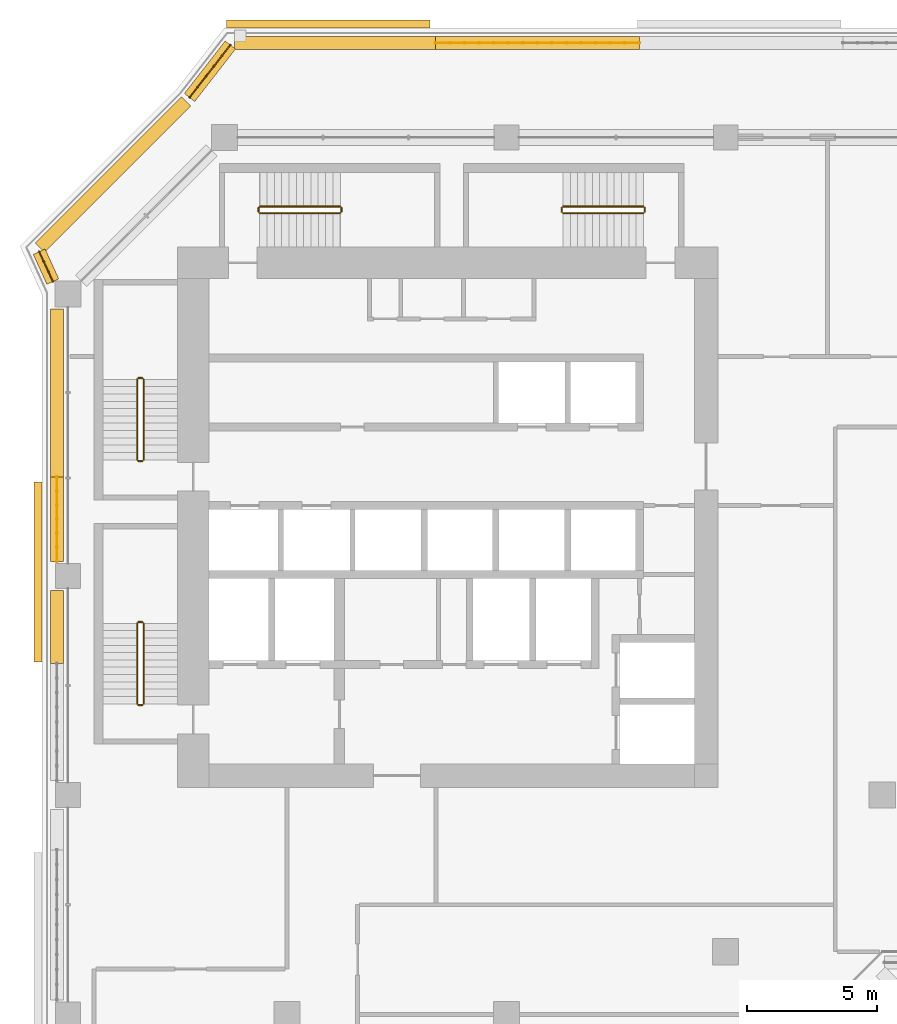
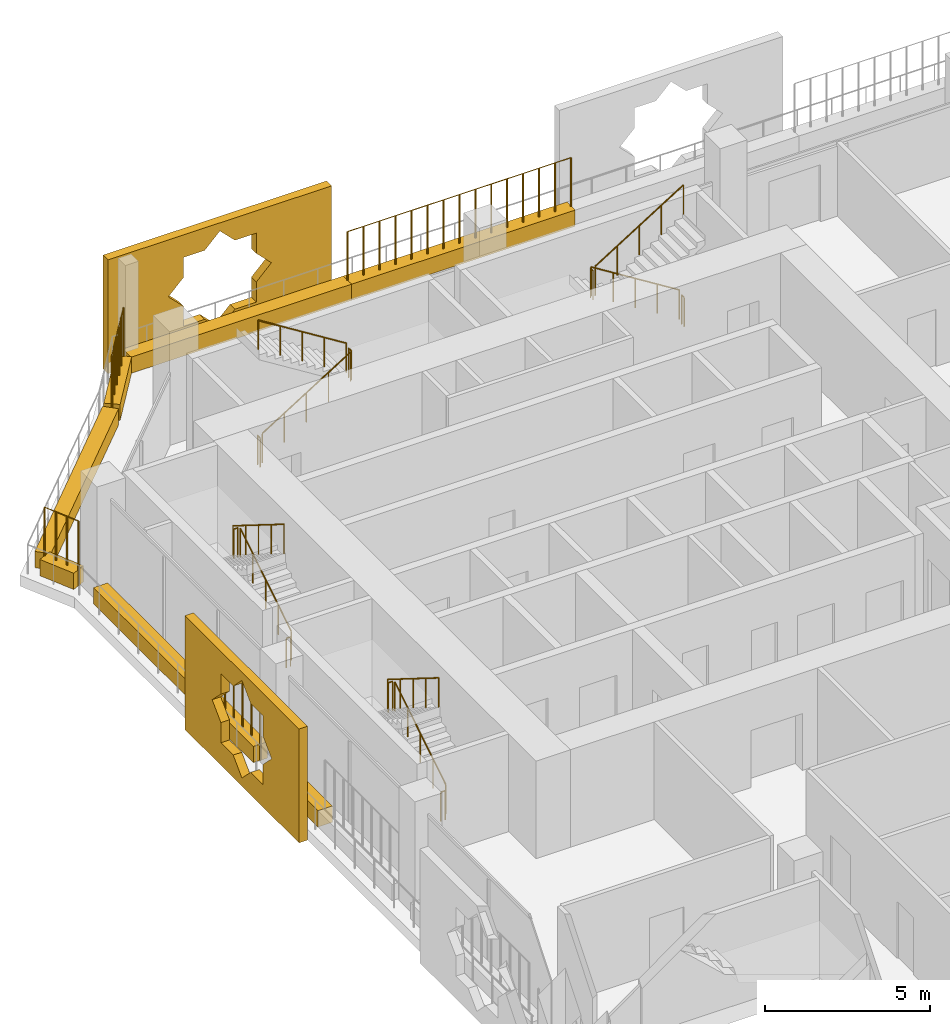
# One storey, part 18 of 22: 20 railings, 10 coverings.
"""IFC4 building model written with IfcOpenShell, lengths in metres."""

from ifc_helpers import new_model, si_unit, direction, frame, origin, origin_2d, place, context, subcontext, project, spatial, polyline, rectangle, circle, outline, extrude, material, material_profile, profile_set, type_object, element, save


model = new_model("IFC4")

# Units and contexts
model_context = context("Model", 3, precision=1e-05, world=origin(), true_north=direction((0.0, 1.0)))
body_context = subcontext(model_context, "Body", "Model", "MODEL_VIEW")
ifc_project = project(units=[si_unit("LENGTHUNIT", "METRE"), si_unit("AREAUNIT", "SQUARE_METRE"), si_unit("VOLUMEUNIT", "CUBIC_METRE"), si_unit("PLANEANGLEUNIT", "RADIAN"), si_unit("MASSUNIT", "GRAM", prefix="KILO")], contexts=[model_context])

# Site, building, storey
site_placement = place(None, origin())
site = spatial("IfcSite", under=ifc_project, at=site_placement, CompositionType="ELEMENT")
building_placement = place(site_placement, origin())
building = spatial("IfcBuilding", under=site, at=building_placement, Name="Kawkab Arch Medical Tower", CompositionType="ELEMENT")
storey_placement = place(building_placement, frame((0.0, 0.0, 179.39990234375)))
storey = spatial("IfcBuildingStorey", under=building, at=storey_placement, Name="L41", CompositionType="ELEMENT", Elevation=179.39990234375)

# Coverings
ifc_material_1 = material(Name="Bronze anodised aluminium mashrabiya panel, eight-point star pattern", Category="aluminium")
ifc_material_profile_1 = material_profile(ifc_material_1, outline(polyline([(-3.449951171875, -2.10009765625), (3.449951171875, -2.10009765625), (3.449951171875, 2.10009765625), (-3.449951171875, 2.10009765625), (-3.449951171875, -2.10009765625)]), holes=[polyline([(1.800048828125, 0.0), (1.272705078125, 0.527099609375), (1.272705078125, 1.272705078125), (0.527099609375, 1.272705078125), (0.0, 1.800048828125), (-0.527099609375, 1.272705078125), (-1.272705078125, 1.272705078125), (-1.272705078125, 0.527099609375), (-1.800048828125, 0.0), (-1.272705078125, -0.527099609375), (-1.272705078125, -1.272705078125), (-0.527099609375, -1.272705078125), (0.0, -1.800048828125), (0.527099609375, -1.272705078125), (1.272705078125, -1.272705078125), (1.272705078125, -0.527099609375), (1.800048828125, 0.0)])]), Name="Mashrabiya panel 6900x4200")
ifc_profile_set_1 = profile_set([ifc_material_profile_1], Name="Bronze anodised aluminium mashrabiya panel, eight-point star pattern")
covering_type_1 = type_object("IfcCoveringType", Name="Mashrabiya panel 6900 x 4200", PredefinedType="USERDEFINED", material=ifc_profile_set_1)
covering_1_placement = place(storey_placement, frame((-1.0, -16.64892578125, 1.7001953125), z_axis=(-1.0, 0.0, 0.0), x_axis=(0.0, -1.0, 0.0)))
element("IfcCovering", 1, at=covering_1_placement, inside=storey, type_object=covering_type_1, Name="Mashrabiya panel L41.LOG-01-01.4", ObjectType="SCREEN", PredefinedType="USERDEFINED", context=body_context, shape_type="SweptSolid", body=[
    extrude(outline(polyline([(-3.449951171875, -2.10009765625), (3.449951171875, -2.10009765625), (3.449951171875, 2.10009765625), (-3.449951171875, 2.10009765625), (-3.449951171875, -2.10009765625)]), holes=[polyline([(1.800048828125, 0.0), (1.272705078125, 0.527099609375), (1.272705078125, 1.272705078125), (0.527099609375, 1.272705078125), (0.0, 1.800048828125), (-0.527099609375, 1.272705078125), (-1.272705078125, 1.272705078125), (-1.272705078125, 0.527099609375), (-1.800048828125, 0.0), (-1.272705078125, -0.527099609375), (-1.272705078125, -1.272705078125), (-0.527099609375, -1.272705078125), (0.0, -1.800048828125), (0.527099609375, -1.272705078125), (1.272705078125, -1.272705078125), (1.272705078125, -0.527099609375), (1.800048828125, 0.0)])]), origin(), (0.0, 0.0, 1.0), 0.300048828125),
])
ifc_material_2 = material(Name="Bronze anodised aluminium mashrabiya panel, eight-point star pattern", Category="aluminium")
ifc_material_profile_2 = material_profile(ifc_material_2, outline(polyline([(-3.89990234375, -2.10009765625), (3.89990234375, -2.10009765625), (3.89990234375, 2.10009765625), (-3.89990234375, 2.10009765625), (-3.89990234375, -2.10009765625)]), holes=[polyline([(1.800048828125, 0.0), (1.272705078125, 0.527099609375), (1.272705078125, 1.272705078125), (0.527099609375, 1.272705078125), (0.0, 1.800048828125), (-0.527099609375, 1.272705078125), (-1.272705078125, 1.272705078125), (-1.272705078125, 0.527099609375), (-1.800048828125, 0.0), (-1.272705078125, -0.527099609375), (-1.272705078125, -1.272705078125), (-0.527099609375, -1.272705078125), (0.0, -1.800048828125), (0.527099609375, -1.272705078125), (1.272705078125, -1.272705078125), (1.272705078125, -0.527099609375), (1.800048828125, 0.0)])]), Name="Mashrabiya panel 7800x4200")
ifc_profile_set_2 = profile_set([ifc_material_profile_2], Name="Bronze anodised aluminium mashrabiya panel, eight-point star pattern")
covering_type_2 = type_object("IfcCoveringType", Name="Mashrabiya panel 7800 x 4200", PredefinedType="USERDEFINED", material=ifc_profile_set_2)
covering_2_placement = place(storey_placement, frame((9.967041015625, 4.199951171875, 1.7001953125), z_axis=(0.0, 1.0, 0.0), x_axis=(-1.0, 0.0, 0.0)))
element("IfcCovering", 2, at=covering_2_placement, inside=storey, type_object=covering_type_2, Name="Mashrabiya panel L41.LOG-01-01.5", ObjectType="SCREEN", PredefinedType="USERDEFINED", context=body_context, shape_type="SweptSolid", body=[
    extrude(outline(polyline([(-3.89990234375, -2.10009765625), (3.89990234375, -2.10009765625), (3.89990234375, 2.10009765625), (-3.89990234375, 2.10009765625), (-3.89990234375, -2.10009765625)]), holes=[polyline([(1.800048828125, 0.0), (1.272705078125, 0.527099609375), (1.272705078125, 1.272705078125), (0.527099609375, 1.272705078125), (0.0, 1.800048828125), (-0.527099609375, 1.272705078125), (-1.272705078125, 1.272705078125), (-1.272705078125, 0.527099609375), (-1.800048828125, 0.0), (-1.272705078125, -0.527099609375), (-1.272705078125, -1.272705078125), (-0.527099609375, -1.272705078125), (0.0, -1.800048828125), (0.527099609375, -1.272705078125), (1.272705078125, -1.272705078125), (1.272705078125, -0.527099609375), (1.800048828125, 0.0)])]), origin(), (0.0, 0.0, 1.0), 0.300048828125),
])
ifc_material_3 = material(Name="Planting soil in a precast trough", Category="concrete")
ifc_material_profile_3 = material_profile(ifc_material_3, rectangle(XDim=0.5, YDim=0.60009765625, at=origin_2d()), Name="Trough 500x600")
ifc_profile_set_3 = profile_set([ifc_material_profile_3], Name="Planting soil in a precast trough")
covering_type_3 = type_object("IfcCoveringType", Name="Planter trough 500 x 600", PredefinedType="USERDEFINED", material=ifc_profile_set_3)
covering_3_placement = place(storey_placement, frame((-0.419921875, -20.157958984375, 0.300048828125), z_axis=(0.0, 1.0, 0.0), x_axis=(-1.0, 0.0, 0.0)))
element("IfcCovering", 3, at=covering_3_placement, inside=storey, type_object=covering_type_3, Name="Planter L41.LOG-01-01.12", ObjectType="PLANTER", PredefinedType="USERDEFINED", context=body_context, shape_type="SweptSolid", body=[
    extrude(rectangle(XDim=0.5, YDim=0.60009765625, at=origin_2d()), origin(), (0.0, 0.0, 1.0), 2.802978515625),
])
covering_4_placement = place(storey_placement, frame((-0.419921875, -16.2451171875, 0.300048828125), z_axis=(0.0, 1.0, 0.0), x_axis=(-1.0, 0.0, 0.0)))
element("IfcCovering", 4, at=covering_4_placement, inside=storey, type_object=covering_type_3, Name="Planter L41.LOG-01-01.13", ObjectType="PLANTER", PredefinedType="USERDEFINED", context=body_context, shape_type="SweptSolid", body=[
    extrude(rectangle(XDim=0.5, YDim=0.60009765625, at=origin_2d()), origin(), (0.0, 0.0, 1.0), 3.22900390625),
])
covering_5_placement = place(storey_placement, frame((-0.419921875, -13.01611328125, 0.300048828125), z_axis=(0.0, 1.0, 0.0), x_axis=(-1.0, 0.0, 0.0)))
element("IfcCovering", 5, at=covering_5_placement, inside=storey, type_object=covering_type_3, Name="Planter L41.LOG-01-01.14", ObjectType="PLANTER", PredefinedType="USERDEFINED", context=body_context, shape_type="SweptSolid", body=[
    extrude(rectangle(XDim=0.5, YDim=0.60009765625, at=origin_2d()), origin(), (0.0, 0.0, 1.0), 6.43603515625),
])
covering_6_placement = place(storey_placement, frame((-0.580078125, -5.52294921875, 0.300048828125), z_axis=(-0.415089762627, 0.909780461959, 0.0), x_axis=(-0.909780461959, -0.415089762627, 0.0)))
element("IfcCovering", 6, at=covering_6_placement, inside=storey, type_object=covering_type_3, Name="Planter L41.LOG-01-01.15", ObjectType="PLANTER", PredefinedType="USERDEFINED", context=body_context, shape_type="SweptSolid", body=[
    extrude(rectangle(XDim=0.5, YDim=0.60009765625, at=origin_2d()), origin(), (0.0, 0.0, 1.0), 1.257568359375),
])
covering_7_placement = place(storey_placement, frame((-1.072998046875, -4.217041015625, 0.300048828125), z_axis=(0.707106781187, 0.707106781187, 0.0), x_axis=(-0.707106781187, 0.707106781187, 0.0)))
element("IfcCovering", 7, at=covering_7_placement, inside=storey, type_object=covering_type_3, Name="Planter L41.LOG-01-01.16", ObjectType="PLANTER", PredefinedType="USERDEFINED", context=body_context, shape_type="SweptSolid", body=[
    extrude(rectangle(XDim=0.5, YDim=0.60009765625, at=origin_2d()), origin(), (0.0, 0.0, 1.0), 7.919677734375),
])
covering_8_placement = place(storey_placement, frame((4.658935546875, 1.531982421875, 0.300048828125), z_axis=(0.61404021143, 0.789274742246, 0.0), x_axis=(-0.789274742246, 0.61404021143, 0.0)))
element("IfcCovering", 8, at=covering_8_placement, inside=storey, type_object=covering_type_3, Name="Planter L41.LOG-01-01.17", ObjectType="PLANTER", PredefinedType="USERDEFINED", context=body_context, shape_type="SweptSolid", body=[
    extrude(rectangle(XDim=0.5, YDim=0.60009765625, at=origin_2d()), origin(), (0.0, 0.0, 1.0), 2.54541015625),
])
covering_9_placement = place(storey_placement, frame((6.384033203125, 3.6201171875, 0.300048828125), z_axis=(1.0, 0.0, 0.0), x_axis=(0.0, 1.0, 0.0)))
element("IfcCovering", 9, at=covering_9_placement, inside=storey, type_object=covering_type_3, Name="Planter L41.LOG-01-01.18", ObjectType="PLANTER", PredefinedType="USERDEFINED", context=body_context, shape_type="SweptSolid", body=[
    extrude(rectangle(XDim=0.5, YDim=0.60009765625, at=origin_2d()), origin(), (0.0, 0.0, 1.0), 7.703857421875),
])
covering_10_placement = place(storey_placement, frame((14.087890625, 3.6201171875, 0.300048828125), z_axis=(1.0, 0.0, 0.0), x_axis=(0.0, 1.0, 0.0)))
element("IfcCovering", 10, at=covering_10_placement, inside=storey, type_object=covering_type_3, Name="Planter L41.LOG-01-01.19", ObjectType="PLANTER", PredefinedType="USERDEFINED", context=body_context, shape_type="SweptSolid", body=[
    extrude(rectangle(XDim=0.5, YDim=0.60009765625, at=origin_2d()), origin(), (0.0, 0.0, 1.0), 7.80517578125),
])

# Railings
ifc_material_4 = material(Name="Bronze anodised aluminium trellis for climbing plants", Category="aluminium")
railing_type_1 = type_object("IfcRailingType", Name="Planting trellis 2400", PredefinedType="USERDEFINED", material=ifc_material_4)
railing_1_placement = place(storey_placement, frame((-0.419921875, -16.2451171875, 0.0)))
element("IfcRailing", 11, at=railing_1_placement, inside=storey, type_object=railing_type_1, Name="Planting trellis L41.LOG-01-01.13", ObjectType="TRELLIS", PredefinedType="USERDEFINED", context=body_context, shape_type="SweptSolid", body=[
    extrude(circle(Radius=0.01513671875, at=origin_2d()), frame((0.0, 0.0, 2.384765625), z_axis=(0.0, 1.0, 0.0), x_axis=(-1.0, 0.0, 0.0)), (0.0, 0.0, 1.0), 3.22900390625),
    extrude(circle(Radius=0.030029296875, at=origin_2d()), origin(), (0.0, 0.0, 1.0), 2.369873046875),
    extrude(circle(Radius=0.030029296875, at=origin_2d()), frame((0.0, 0.5380859375, 0.0)), (0.0, 0.0, 1.0), 2.369873046875),
    extrude(circle(Radius=0.030029296875, at=origin_2d()), frame((0.0, 1.076416015625, 0.0)), (0.0, 0.0, 1.0), 2.369873046875),
    extrude(circle(Radius=0.030029296875, at=origin_2d()), frame((0.0, 1.614501953125, 0.0)), (0.0, 0.0, 1.0), 2.369873046875),
    extrude(circle(Radius=0.030029296875, at=origin_2d()), frame((0.0, 2.152587890625, 0.0)), (0.0, 0.0, 1.0), 2.369873046875),
    extrude(circle(Radius=0.030029296875, at=origin_2d()), frame((0.0, 2.69091796875, 0.0)), (0.0, 0.0, 1.0), 2.369873046875),
    extrude(circle(Radius=0.030029296875, at=origin_2d()), frame((0.0, 3.22900390625, 0.0)), (0.0, 0.0, 1.0), 2.369873046875),
])
railing_2_placement = place(storey_placement, frame((-0.580078125, -5.52294921875, 0.0)))
element("IfcRailing", 12, at=railing_2_placement, inside=storey, type_object=railing_type_1, Name="Planting trellis L41.LOG-01-01.15", ObjectType="TRELLIS", PredefinedType="USERDEFINED", context=body_context, shape_type="SweptSolid", body=[
    extrude(circle(Radius=0.01513671875, at=origin_2d()), frame((0.0, 0.0, 2.384765625), z_axis=(-0.415089762627, 0.909780461959, 0.0), x_axis=(-0.909780461959, -0.415089762627, 0.0)), (0.0, 0.0, 1.0), 1.257568359375),
    extrude(circle(Radius=0.030029296875, at=origin_2d()), origin(), (0.0, 0.0, 1.0), 2.369873046875),
    extrude(circle(Radius=0.030029296875, at=origin_2d()), frame((-0.174072265625, 0.38134765625, 0.0)), (0.0, 0.0, 1.0), 2.369873046875),
    extrude(circle(Radius=0.030029296875, at=origin_2d()), frame((-0.347900390625, 0.7626953125, 0.0)), (0.0, 0.0, 1.0), 2.369873046875),
    extrude(circle(Radius=0.030029296875, at=origin_2d()), frame((-0.52197265625, 1.14404296875, 0.0)), (0.0, 0.0, 1.0), 2.369873046875),
])
railing_3_placement = place(storey_placement, frame((4.658935546875, 1.531982421875, 0.0)))
element("IfcRailing", 13, at=railing_3_placement, inside=storey, type_object=railing_type_1, Name="Planting trellis L41.LOG-01-01.17", ObjectType="TRELLIS", PredefinedType="USERDEFINED", context=body_context, shape_type="SweptSolid", body=[
    extrude(circle(Radius=0.01513671875, at=origin_2d()), frame((0.0, 0.0, 2.384765625), z_axis=(0.61404021143, 0.789274742246, 0.0), x_axis=(-0.789274742246, 0.61404021143, 0.0)), (0.0, 0.0, 1.0), 2.54541015625),
    extrude(circle(Radius=0.030029296875, at=origin_2d()), origin(), (0.0, 0.0, 1.0), 2.369873046875),
    extrude(circle(Radius=0.030029296875, at=origin_2d()), frame((0.3125, 0.40185546875, 0.0)), (0.0, 0.0, 1.0), 2.369873046875),
    extrude(circle(Radius=0.030029296875, at=origin_2d()), frame((0.625244140625, 0.8037109375, 0.0)), (0.0, 0.0, 1.0), 2.369873046875),
    extrude(circle(Radius=0.030029296875, at=origin_2d()), frame((0.937744140625, 1.205322265625, 0.0)), (0.0, 0.0, 1.0), 2.369873046875),
    extrude(circle(Radius=0.030029296875, at=origin_2d()), frame((1.25048828125, 1.607177734375, 0.0)), (0.0, 0.0, 1.0), 2.369873046875),
    extrude(circle(Radius=0.030029296875, at=origin_2d()), frame((1.56298828125, 2.009033203125, 0.0)), (0.0, 0.0, 1.0), 2.369873046875),
])
railing_4_placement = place(storey_placement, frame((14.087890625, 3.6201171875, 0.0)))
element("IfcRailing", 14, at=railing_4_placement, inside=storey, type_object=railing_type_1, Name="Planting trellis L41.LOG-01-01.19", ObjectType="TRELLIS", PredefinedType="USERDEFINED", context=body_context, shape_type="SweptSolid", body=[
    extrude(circle(Radius=0.01513671875, at=origin_2d()), frame((0.0, 0.0, 2.384765625), z_axis=(1.0, 0.0, 0.0), x_axis=(0.0, 1.0, 0.0)), (0.0, 0.0, 1.0), 7.80517578125),
    extrude(circle(Radius=0.030029296875, at=origin_2d()), origin(), (0.0, 0.0, 1.0), 2.369873046875),
    extrude(circle(Radius=0.030029296875, at=origin_2d()), frame((0.5576171875, 0.0, 0.0)), (0.0, 0.0, 1.0), 2.369873046875),
    extrude(circle(Radius=0.030029296875, at=origin_2d()), frame((1.114990234375, 0.0, 0.0)), (0.0, 0.0, 1.0), 2.369873046875),
    extrude(circle(Radius=0.030029296875, at=origin_2d()), frame((1.672607421875, 0.0, 0.0)), (0.0, 0.0, 1.0), 2.369873046875),
    extrude(circle(Radius=0.030029296875, at=origin_2d()), frame((2.22998046875, 0.0, 0.0)), (0.0, 0.0, 1.0), 2.369873046875),
    extrude(circle(Radius=0.030029296875, at=origin_2d()), frame((2.78759765625, 0.0, 0.0)), (0.0, 0.0, 1.0), 2.369873046875),
    extrude(circle(Radius=0.030029296875, at=origin_2d()), frame((3.344970703125, 0.0, 0.0)), (0.0, 0.0, 1.0), 2.369873046875),
    extrude(circle(Radius=0.030029296875, at=origin_2d()), frame((3.902587890625, 0.0, 0.0)), (0.0, 0.0, 1.0), 2.369873046875),
    extrude(circle(Radius=0.030029296875, at=origin_2d()), frame((4.460205078125, 0.0, 0.0)), (0.0, 0.0, 1.0), 2.369873046875),
    extrude(circle(Radius=0.030029296875, at=origin_2d()), frame((5.017578125, 0.0, 0.0)), (0.0, 0.0, 1.0), 2.369873046875),
    extrude(circle(Radius=0.030029296875, at=origin_2d()), frame((5.5751953125, 0.0, 0.0)), (0.0, 0.0, 1.0), 2.369873046875),
    extrude(circle(Radius=0.030029296875, at=origin_2d()), frame((6.132568359375, 0.0, 0.0)), (0.0, 0.0, 1.0), 2.369873046875),
    extrude(circle(Radius=0.030029296875, at=origin_2d()), frame((6.690185546875, 0.0, 0.0)), (0.0, 0.0, 1.0), 2.369873046875),
    extrude(circle(Radius=0.030029296875, at=origin_2d()), frame((7.24755859375, 0.0, 0.0)), (0.0, 0.0, 1.0), 2.369873046875),
    extrude(circle(Radius=0.030029296875, at=origin_2d()), frame((7.80517578125, 0.0, 0.0)), (0.0, 0.0, 1.0), 2.369873046875),
])
ifc_material_5 = material(Name="Stainless steel", Category="steel")
railing_type_2 = type_object("IfcRailingType", Name="Stair guard 1100", PredefinedType="GUARDRAIL", material=ifc_material_5)
railing_5_placement = place(storey_placement, frame((2.89990234375, -12.35009765625, 0.175048828125)))
element("IfcRailing", 15, at=railing_5_placement, inside=storey, type_object=railing_type_2, Name="L41 ST1 stair guard 1", PredefinedType="GUARDRAIL", context=body_context, shape_type="SweptSolid", body=[
    extrude(circle(Radius=0.02392578125, at=origin_2d()), frame((0.0, 0.0, 1.076171875), z_axis=(0.0, 0.847998304005, 0.529998940003), x_axis=(-1.0, 0.0, 0.0)), (0.0, 0.0, 1.0), 3.632080078125),
    extrude(circle(Radius=0.02099609375, at=origin_2d()), origin(), (0.0, 0.0, 1.0), 1.052001953125),
    extrude(circle(Radius=0.02099609375, at=origin_2d()), frame((0.0, 0.77001953125, 0.481201171875)), (0.0, 0.0, 1.0), 1.052001953125),
    extrude(circle(Radius=0.02099609375, at=origin_2d()), frame((0.0, 1.5400390625, 0.96240234375)), (0.0, 0.0, 1.0), 1.052001953125),
    extrude(circle(Radius=0.02099609375, at=origin_2d()), frame((0.0, 2.31005859375, 1.44384765625)), (0.0, 0.0, 1.0), 1.052001953125),
    extrude(circle(Radius=0.02099609375, at=origin_2d()), frame((0.0, 3.080078125, 1.925048828125)), (0.0, 0.0, 1.0), 1.052001953125),
])
railing_6_placement = place(storey_placement, frame((2.85009765625, -9.219970703125, 2.10009765625)))
element("IfcRailing", 16, at=railing_6_placement, inside=storey, type_object=railing_type_2, Name="L41 ST1 stair guard 2", PredefinedType="GUARDRAIL", context=body_context, shape_type="SweptSolid", body=[
    extrude(circle(Radius=0.02392578125, at=origin_2d()), frame((0.0, 0.0, 1.076171875), z_axis=(-1.0, 0.0, 0.0), x_axis=(0.0, -1.0, 0.0)), (0.0, 0.0, 1.0), 0.150146484375),
    extrude(circle(Radius=0.02099609375, at=origin_2d()), origin(), (0.0, 0.0, 1.0), 1.052001953125),
    extrude(circle(Radius=0.02099609375, at=origin_2d()), frame((-0.150146484375, 0.0, 0.0)), (0.0, 0.0, 1.0), 1.052001953125),
])
railing_7_placement = place(storey_placement, frame((2.64990234375, -9.27001953125, 2.275146484375)))
element("IfcRailing", 17, at=railing_7_placement, inside=storey, type_object=railing_type_2, Name="L41 ST1 stair guard 3", PredefinedType="GUARDRAIL", context=body_context, shape_type="SweptSolid", body=[
    extrude(circle(Radius=0.02392578125, at=origin_2d()), frame((0.0, 0.0, 1.076171875), z_axis=(0.0, -0.847998304005, 0.529998940003), x_axis=(1.0, 0.0, 0.0)), (0.0, 0.0, 1.0), 3.632080078125),
    extrude(circle(Radius=0.02099609375, at=origin_2d()), origin(), (0.0, 0.0, 1.0), 1.052001953125),
    extrude(circle(Radius=0.02099609375, at=origin_2d()), frame((0.0, -0.77001953125, 0.481201171875)), (0.0, 0.0, 1.0), 1.052001953125),
    extrude(circle(Radius=0.02099609375, at=origin_2d()), frame((0.0, -1.5400390625, 0.96240234375)), (0.0, 0.0, 1.0), 1.052001953125),
    extrude(circle(Radius=0.02099609375, at=origin_2d()), frame((0.0, -2.31005859375, 1.44384765625)), (0.0, 0.0, 1.0), 1.052001953125),
    extrude(circle(Radius=0.02099609375, at=origin_2d()), frame((0.0, -3.080078125, 1.925048828125)), (0.0, 0.0, 1.0), 1.052001953125),
])
railing_8_placement = place(storey_placement, frame((2.85009765625, -12.39990234375, 0.0)))
element("IfcRailing", 18, at=railing_8_placement, inside=storey, type_object=railing_type_2, Name="L41 ST1 stair guard 4", PredefinedType="GUARDRAIL", context=body_context, shape_type="SweptSolid", body=[
    extrude(circle(Radius=0.02392578125, at=origin_2d()), frame((0.0, 0.0, 1.076171875), z_axis=(-1.0, 0.0, 0.0), x_axis=(0.0, -1.0, 0.0)), (0.0, 0.0, 1.0), 0.150146484375),
    extrude(circle(Radius=0.02099609375, at=origin_2d()), origin(), (0.0, 0.0, 1.0), 1.052001953125),
    extrude(circle(Radius=0.02099609375, at=origin_2d()), frame((-0.150146484375, 0.0, 0.0)), (0.0, 0.0, 1.0), 1.052001953125),
])
railing_9_placement = place(storey_placement, frame((2.89990234375, -21.699951171875, 0.175048828125)))
element("IfcRailing", 19, at=railing_9_placement, inside=storey, type_object=railing_type_2, Name="L41 ST2 stair guard 1", PredefinedType="GUARDRAIL", context=body_context, shape_type="SweptSolid", body=[
    extrude(circle(Radius=0.02392578125, at=origin_2d()), frame((0.0, 0.0, 1.076171875), z_axis=(0.0, 0.847979421464, 0.530029150871), x_axis=(-1.0, 0.0, 0.0)), (0.0, 0.0, 1.0), 3.632080078125),
    extrude(circle(Radius=0.02099609375, at=origin_2d()), origin(), (0.0, 0.0, 1.0), 1.052001953125),
    extrude(circle(Radius=0.02099609375, at=origin_2d()), frame((0.0, 0.77001953125, 0.481201171875)), (0.0, 0.0, 1.0), 1.052001953125),
    extrude(circle(Radius=0.02099609375, at=origin_2d()), frame((0.0, 1.5400390625, 0.96240234375)), (0.0, 0.0, 1.0), 1.052001953125),
    extrude(circle(Radius=0.02099609375, at=origin_2d()), frame((0.0, 2.309814453125, 1.44384765625)), (0.0, 0.0, 1.0), 1.052001953125),
    extrude(circle(Radius=0.02099609375, at=origin_2d()), frame((0.0, 3.079833984375, 1.925048828125)), (0.0, 0.0, 1.0), 1.052001953125),
])
railing_10_placement = place(storey_placement, frame((2.85009765625, -18.570068359375, 2.10009765625)))
element("IfcRailing", 20, at=railing_10_placement, inside=storey, type_object=railing_type_2, Name="L41 ST2 stair guard 2", PredefinedType="GUARDRAIL", context=body_context, shape_type="SweptSolid", body=[
    extrude(circle(Radius=0.02392578125, at=origin_2d()), frame((0.0, 0.0, 1.076171875), z_axis=(-1.0, 0.0, 0.0), x_axis=(0.0, -1.0, 0.0)), (0.0, 0.0, 1.0), 0.150146484375),
    extrude(circle(Radius=0.02099609375, at=origin_2d()), origin(), (0.0, 0.0, 1.0), 1.052001953125),
    extrude(circle(Radius=0.02099609375, at=origin_2d()), frame((-0.150146484375, 0.0, 0.0)), (0.0, 0.0, 1.0), 1.052001953125),
])
railing_11_placement = place(storey_placement, frame((2.64990234375, -18.6201171875, 2.275146484375)))
element("IfcRailing", 21, at=railing_11_placement, inside=storey, type_object=railing_type_2, Name="L41 ST2 stair guard 3", PredefinedType="GUARDRAIL", context=body_context, shape_type="SweptSolid", body=[
    extrude(circle(Radius=0.02392578125, at=origin_2d()), frame((0.0, 0.0, 1.076171875), z_axis=(0.0, -0.847979421464, 0.530029150871), x_axis=(1.0, 0.0, 0.0)), (0.0, 0.0, 1.0), 3.632080078125),
    extrude(circle(Radius=0.02099609375, at=origin_2d()), origin(), (0.0, 0.0, 1.0), 1.052001953125),
    extrude(circle(Radius=0.02099609375, at=origin_2d()), frame((0.0, -0.77001953125, 0.481201171875)), (0.0, 0.0, 1.0), 1.052001953125),
    extrude(circle(Radius=0.02099609375, at=origin_2d()), frame((0.0, -1.5400390625, 0.96240234375)), (0.0, 0.0, 1.0), 1.052001953125),
    extrude(circle(Radius=0.02099609375, at=origin_2d()), frame((0.0, -2.309814453125, 1.44384765625)), (0.0, 0.0, 1.0), 1.052001953125),
    extrude(circle(Radius=0.02099609375, at=origin_2d()), frame((0.0, -3.079833984375, 1.925048828125)), (0.0, 0.0, 1.0), 1.052001953125),
])
railing_12_placement = place(storey_placement, frame((2.85009765625, -21.75, 0.0)))
element("IfcRailing", 22, at=railing_12_placement, inside=storey, type_object=railing_type_2, Name="L41 ST2 stair guard 4", PredefinedType="GUARDRAIL", context=body_context, shape_type="SweptSolid", body=[
    extrude(circle(Radius=0.02392578125, at=origin_2d()), frame((0.0, 0.0, 1.076171875), z_axis=(-1.0, 0.0, 0.0), x_axis=(0.0, -1.0, 0.0)), (0.0, 0.0, 1.0), 0.150146484375),
    extrude(circle(Radius=0.02099609375, at=origin_2d()), origin(), (0.0, 0.0, 1.0), 1.052001953125),
    extrude(circle(Radius=0.02099609375, at=origin_2d()), frame((-0.150146484375, 0.0, 0.0)), (0.0, 0.0, 1.0), 1.052001953125),
])
railing_13_placement = place(storey_placement, frame((7.35009765625, -2.89990234375, 0.175048828125)))
element("IfcRailing", 23, at=railing_13_placement, inside=storey, type_object=railing_type_2, Name="L41 ST3 stair guard 1", PredefinedType="GUARDRAIL", context=body_context, shape_type="SweptSolid", body=[
    extrude(circle(Radius=0.02392578125, at=origin_2d()), frame((0.0, 0.0, 1.076171875), z_axis=(0.847979421464, 0.0, 0.530029150871), x_axis=(0.0, 1.0, 0.0)), (0.0, 0.0, 1.0), 3.632080078125),
    extrude(circle(Radius=0.02099609375, at=origin_2d()), origin(), (0.0, 0.0, 1.0), 1.052001953125),
    extrude(circle(Radius=0.02099609375, at=origin_2d()), frame((0.77001953125, 0.0, 0.481201171875)), (0.0, 0.0, 1.0), 1.052001953125),
    extrude(circle(Radius=0.02099609375, at=origin_2d()), frame((1.5400390625, 0.0, 0.96240234375)), (0.0, 0.0, 1.0), 1.052001953125),
    extrude(circle(Radius=0.02099609375, at=origin_2d()), frame((2.309814453125, 0.0, 1.44384765625)), (0.0, 0.0, 1.0), 1.052001953125),
    extrude(circle(Radius=0.02099609375, at=origin_2d()), frame((3.079833984375, 0.0, 1.925048828125)), (0.0, 0.0, 1.0), 1.052001953125),
])
railing_14_placement = place(storey_placement, frame((10.47998046875, -2.85009765625, 2.10009765625)))
element("IfcRailing", 24, at=railing_14_placement, inside=storey, type_object=railing_type_2, Name="L41 ST3 stair guard 2", PredefinedType="GUARDRAIL", context=body_context, shape_type="SweptSolid", body=[
    extrude(circle(Radius=0.02392578125, at=origin_2d()), frame((0.0, 0.0, 1.076171875), z_axis=(0.0, 1.0, 0.0), x_axis=(-1.0, 0.0, 0.0)), (0.0, 0.0, 1.0), 0.150146484375),
    extrude(circle(Radius=0.02099609375, at=origin_2d()), origin(), (0.0, 0.0, 1.0), 1.052001953125),
    extrude(circle(Radius=0.02099609375, at=origin_2d()), frame((0.0, 0.150146484375, 0.0)), (0.0, 0.0, 1.0), 1.052001953125),
])
railing_15_placement = place(storey_placement, frame((10.429931640625, -2.64990234375, 2.275146484375)))
element("IfcRailing", 25, at=railing_15_placement, inside=storey, type_object=railing_type_2, Name="L41 ST3 stair guard 3", PredefinedType="GUARDRAIL", context=body_context, shape_type="SweptSolid", body=[
    extrude(circle(Radius=0.02392578125, at=origin_2d()), frame((0.0, 0.0, 1.076171875), z_axis=(-0.847979421464, 0.0, 0.530029150871), x_axis=(0.0, -1.0, 0.0)), (0.0, 0.0, 1.0), 3.632080078125),
    extrude(circle(Radius=0.02099609375, at=origin_2d()), origin(), (0.0, 0.0, 1.0), 1.052001953125),
    extrude(circle(Radius=0.02099609375, at=origin_2d()), frame((-0.77001953125, 0.0, 0.481201171875)), (0.0, 0.0, 1.0), 1.052001953125),
    extrude(circle(Radius=0.02099609375, at=origin_2d()), frame((-1.5400390625, 0.0, 0.96240234375)), (0.0, 0.0, 1.0), 1.052001953125),
    extrude(circle(Radius=0.02099609375, at=origin_2d()), frame((-2.309814453125, 0.0, 1.44384765625)), (0.0, 0.0, 1.0), 1.052001953125),
    extrude(circle(Radius=0.02099609375, at=origin_2d()), frame((-3.079833984375, 0.0, 1.925048828125)), (0.0, 0.0, 1.0), 1.052001953125),
])
railing_16_placement = place(storey_placement, frame((7.300048828125, -2.85009765625, 0.0)))
element("IfcRailing", 26, at=railing_16_placement, inside=storey, type_object=railing_type_2, Name="L41 ST3 stair guard 4", PredefinedType="GUARDRAIL", context=body_context, shape_type="SweptSolid", body=[
    extrude(circle(Radius=0.02392578125, at=origin_2d()), frame((0.0, 0.0, 1.076171875), z_axis=(0.0, 1.0, 0.0), x_axis=(-1.0, 0.0, 0.0)), (0.0, 0.0, 1.0), 0.150146484375),
    extrude(circle(Radius=0.02099609375, at=origin_2d()), origin(), (0.0, 0.0, 1.0), 1.052001953125),
    extrude(circle(Radius=0.02099609375, at=origin_2d()), frame((0.0, 0.150146484375, 0.0)), (0.0, 0.0, 1.0), 1.052001953125),
])
railing_17_placement = place(storey_placement, frame((22.050048828125, -2.64990234375, 0.175048828125)))
element("IfcRailing", 27, at=railing_17_placement, inside=storey, type_object=railing_type_2, Name="L41 ST4 stair guard 1", PredefinedType="GUARDRAIL", context=body_context, shape_type="SweptSolid", body=[
    extrude(circle(Radius=0.02392578125, at=origin_2d()), frame((0.0, 0.0, 1.076171875), z_axis=(-0.847998304005, 0.0, 0.529998940003), x_axis=(0.0, -1.0, 0.0)), (0.0, 0.0, 1.0), 3.632080078125),
    extrude(circle(Radius=0.02099609375, at=origin_2d()), origin(), (0.0, 0.0, 1.0), 1.052001953125),
    extrude(circle(Radius=0.02099609375, at=origin_2d()), frame((-0.77001953125, 0.0, 0.481201171875)), (0.0, 0.0, 1.0), 1.052001953125),
    extrude(circle(Radius=0.02099609375, at=origin_2d()), frame((-1.5400390625, 0.0, 0.96240234375)), (0.0, 0.0, 1.0), 1.052001953125),
    extrude(circle(Radius=0.02099609375, at=origin_2d()), frame((-2.31005859375, 0.0, 1.44384765625)), (0.0, 0.0, 1.0), 1.052001953125),
    extrude(circle(Radius=0.02099609375, at=origin_2d()), frame((-3.080078125, 0.0, 1.925048828125)), (0.0, 0.0, 1.0), 1.052001953125),
])
railing_18_placement = place(storey_placement, frame((18.919921875, -2.699951171875, 2.10009765625)))
element("IfcRailing", 28, at=railing_18_placement, inside=storey, type_object=railing_type_2, Name="L41 ST4 stair guard 2", PredefinedType="GUARDRAIL", context=body_context, shape_type="SweptSolid", body=[
    extrude(circle(Radius=0.02392578125, at=origin_2d()), frame((0.0, 0.0, 1.076171875), z_axis=(0.0, -1.0, 0.0), x_axis=(1.0, 0.0, 0.0)), (0.0, 0.0, 1.0), 0.150146484375),
    extrude(circle(Radius=0.02099609375, at=origin_2d()), origin(), (0.0, 0.0, 1.0), 1.052001953125),
    extrude(circle(Radius=0.02099609375, at=origin_2d()), frame((0.0, -0.150146484375, 0.0)), (0.0, 0.0, 1.0), 1.052001953125),
])
railing_19_placement = place(storey_placement, frame((18.969970703125, -2.89990234375, 2.275146484375)))
element("IfcRailing", 29, at=railing_19_placement, inside=storey, type_object=railing_type_2, Name="L41 ST4 stair guard 3", PredefinedType="GUARDRAIL", context=body_context, shape_type="SweptSolid", body=[
    extrude(circle(Radius=0.02392578125, at=origin_2d()), frame((0.0, 0.0, 1.076171875), z_axis=(0.847998304005, 0.0, 0.529998940003), x_axis=(0.0, 1.0, 0.0)), (0.0, 0.0, 1.0), 3.632080078125),
    extrude(circle(Radius=0.02099609375, at=origin_2d()), origin(), (0.0, 0.0, 1.0), 1.052001953125),
    extrude(circle(Radius=0.02099609375, at=origin_2d()), frame((0.77001953125, 0.0, 0.481201171875)), (0.0, 0.0, 1.0), 1.052001953125),
    extrude(circle(Radius=0.02099609375, at=origin_2d()), frame((1.5400390625, 0.0, 0.96240234375)), (0.0, 0.0, 1.0), 1.052001953125),
    extrude(circle(Radius=0.02099609375, at=origin_2d()), frame((2.31005859375, 0.0, 1.44384765625)), (0.0, 0.0, 1.0), 1.052001953125),
    extrude(circle(Radius=0.02099609375, at=origin_2d()), frame((3.080078125, 0.0, 1.925048828125)), (0.0, 0.0, 1.0), 1.052001953125),
])
railing_20_placement = place(storey_placement, frame((22.10009765625, -2.699951171875, 0.0)))
element("IfcRailing", 30, at=railing_20_placement, inside=storey, type_object=railing_type_2, Name="L41 ST4 stair guard 4", PredefinedType="GUARDRAIL", context=body_context, shape_type="SweptSolid", body=[
    extrude(circle(Radius=0.02392578125, at=origin_2d()), frame((0.0, 0.0, 1.076171875), z_axis=(0.0, -1.0, 0.0), x_axis=(1.0, 0.0, 0.0)), (0.0, 0.0, 1.0), 0.150146484375),
    extrude(circle(Radius=0.02099609375, at=origin_2d()), origin(), (0.0, 0.0, 1.0), 1.052001953125),
    extrude(circle(Radius=0.02099609375, at=origin_2d()), frame((0.0, -0.150146484375, 0.0)), (0.0, 0.0, 1.0), 1.052001953125),
])

save(model, "model.ifc")
